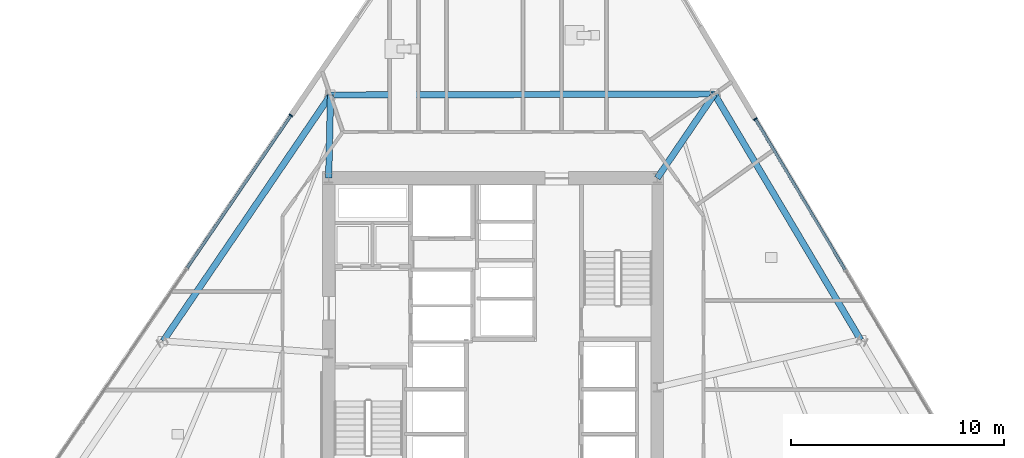
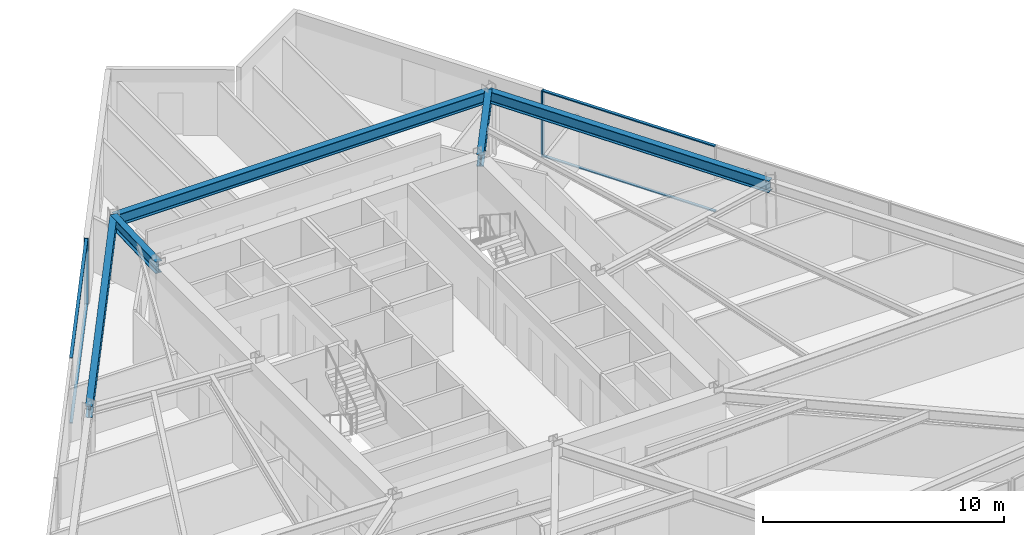
# One storey, part 7 of 16: 6 members, 5 beams, 2 elements without a shape of their own.
"""IFC4 building model written with IfcOpenShell, lengths in metres."""

from ifc_helpers import new_model, si_unit, direction, frame, origin, origin_2d, place, context, subcontext, project, spatial, rectangle, i_section, extrude, material, material_profile, profile_set, type_object, element, aggregate, save


model = new_model("IFC4")

# Units and contexts
model_context = context("Model", 3, precision=1e-05, world=origin(), true_north=direction((0.0, 1.0)))
body_context = subcontext(model_context, "Body", "Model", "MODEL_VIEW")
ifc_project = project(units=[si_unit("LENGTHUNIT", "METRE"), si_unit("AREAUNIT", "SQUARE_METRE"), si_unit("VOLUMEUNIT", "CUBIC_METRE"), si_unit("PLANEANGLEUNIT", "RADIAN"), si_unit("MASSUNIT", "GRAM", prefix="KILO")], contexts=[model_context])

# Site, building, storey
site_placement = place(None, origin())
site = spatial("IfcSite", under=ifc_project, at=site_placement, CompositionType="ELEMENT")
building_placement = place(site_placement, origin())
building = spatial("IfcBuilding", under=site, at=building_placement, Name="Savorim Split Tower", CompositionType="ELEMENT")
storey_placement = place(building_placement, frame((0.0, 0.0, 66.0)))
storey = spatial("IfcBuildingStorey", under=building, at=storey_placement, Name="L17", CompositionType="ELEMENT", Elevation=66.0)

# Beams
ifc_material_1 = material(Name="Steel S355", Category="steel")
ifc_material_profile_1 = material_profile(ifc_material_1, i_section(OverallWidth=0.300048828125, OverallDepth=0.60009765625, WebThickness=0.015380859375, FlangeThickness=0.030029296875, FilletRadius=0.027099609375, at=origin_2d()), Name="HEB 600")
ifc_profile_set_1 = profile_set([ifc_material_profile_1], Name="Steel S355")
beam_type_1 = type_object("IfcBeamType", Name="BM-PRI-HEB600", PredefinedType="BEAM", material=ifc_profile_set_1)
beam_1_placement = place(storey_placement, frame((10.37890625, 14.140625, 3.050048828125), z_axis=(-0.562209115445, -0.826995109122, 0.0), x_axis=(0.826995109122, -0.562209115445, 0.0)))
element("IfcBeam", 1, at=beam_1_placement, inside=storey, type_object=beam_type_1, Name="L17 Primary Floor Girder RG-07", PredefinedType="BEAM", context=body_context, shape_type="SweptSolid", body=[
    extrude(i_section(OverallWidth=0.300048828125, OverallDepth=0.60009765625, WebThickness=0.015380859375, FlangeThickness=0.030029296875, FilletRadius=0.027099609375, at=origin_2d()), origin(), (0.0, 0.0, 1.0), 4.76513671875),
])
beam_2_placement = place(storey_placement, frame((-7.6123046875, 14.091796875, 3.050048828125), z_axis=(-0.022514835752, -0.999746508957, 0.0), x_axis=(0.999746508957, -0.022514835752, 0.0)))
element("IfcBeam", 2, at=beam_2_placement, inside=storey, type_object=beam_type_1, Name="L17 Primary Floor Girder RG-08", PredefinedType="BEAM", context=body_context, shape_type="SweptSolid", body=[
    extrude(i_section(OverallWidth=0.300048828125, OverallDepth=0.60009765625, WebThickness=0.015380859375, FlangeThickness=0.030029296875, FilletRadius=0.027099609375, at=origin_2d()), origin(), (0.0, 0.0, 1.0), 3.892822265625),
])
ifc_material_profile_2 = material_profile(ifc_material_1, i_section(OverallWidth=0.300048828125, OverallDepth=0.590087890625, WebThickness=0.012939453125, FlangeThickness=0.02490234375, FilletRadius=0.027099609375, at=origin_2d()), Name="HEA 600")
ifc_profile_set_2 = profile_set([ifc_material_profile_2], Name="Steel S355")
beam_type_2 = type_object("IfcBeamType", Name="BM-SPN-HEA600", PredefinedType="SPANDREL", material=ifc_profile_set_2)
beam_3_placement = place(storey_placement, frame((17.232666015625, 2.6142578125, 3.054931640625), z_axis=(-0.511088843227, 0.859527890373, 0.0), x_axis=(-0.859527890373, -0.511088843227, 0.0)))
element("IfcBeam", 3, at=beam_3_placement, inside=storey, type_object=beam_type_2, Name="L17 Perimeter Spandrel Beam 6", PredefinedType="SPANDREL", context=body_context, shape_type="SweptSolid", body=[
    extrude(i_section(OverallWidth=0.300048828125, OverallDepth=0.590087890625, WebThickness=0.012939453125, FlangeThickness=0.02490234375, FilletRadius=0.027099609375, at=origin_2d()), origin(), (0.0, 0.0, 1.0), 13.41015625),
])
beam_4_placement = place(storey_placement, frame((10.37890625, 14.140625, 3.054931640625), z_axis=(-0.999996317126, -0.002713988811, 0.0), x_axis=(0.002713988811, -0.999996317126, 0.0)))
element("IfcBeam", 4, at=beam_4_placement, inside=storey, type_object=beam_type_2, Name="L17 Perimeter Spandrel Beam 7", PredefinedType="SPANDREL", context=body_context, shape_type="SweptSolid", body=[
    extrude(i_section(OverallWidth=0.300048828125, OverallDepth=0.590087890625, WebThickness=0.012939453125, FlangeThickness=0.02490234375, FilletRadius=0.027099609375, at=origin_2d()), origin(), (0.0, 0.0, 1.0), 17.9912109375),
])
beam_5_placement = place(storey_placement, frame((-7.6123046875, 14.091796875, 3.054931640625), z_axis=(-0.562475749306, -0.826813782809, 0.0), x_axis=(0.826813782809, -0.562475749306, 0.0)))
element("IfcBeam", 5, at=beam_5_placement, inside=storey, type_object=beam_type_2, Name="L17 Perimeter Spandrel Beam 8", PredefinedType="SPANDREL", context=body_context, shape_type="SweptSolid", body=[
    extrude(i_section(OverallWidth=0.300048828125, OverallDepth=0.590087890625, WebThickness=0.012939453125, FlangeThickness=0.02490234375, FilletRadius=0.027099609375, at=origin_2d()), origin(), (0.0, 0.0, 1.0), 13.940673828125),
])

# Curtain wall, member
ifc_material_2 = material(Name="Dark Ceramic-Fritted Insulated Glass", Category="glass")
curtain_wall_type = type_object("IfcCurtainWallType", Name="CW-TWR-FRIT-A", PredefinedType="NOTDEFINED", material=ifc_material_2)
curtain_wall_1_placement = place(storey_placement, origin())
curtain_wall_1 = element("IfcCurtainWall", 6, at=curtain_wall_1_placement, inside=storey, type_object=curtain_wall_type, Name="L17 Curtain Wall CW-L17-EAST", PredefinedType="NOTDEFINED")
ifc_material_3 = material(Name="Charcoal Anodised Aluminium", Category="aluminium")
ifc_material_profile_3 = material_profile(ifc_material_3, rectangle(XDim=0.179931640625, YDim=0.06494140625, at=origin_2d()), Name="ALU-M 180x65")
ifc_profile_set_3 = profile_set([ifc_material_profile_3], Name="Charcoal Anodised Aluminium")
member_type_1 = type_object("IfcMemberType", Name="CWM-180x65", PredefinedType="MULLION", material=ifc_profile_set_3)
member_1_placement = place(storey_placement, frame((12.296630859375, 12.96826171875, 0.0), z_axis=(0.0, 0.0, 1.0), x_axis=(-0.859525822673, -0.511092320583, 0.0)))
member_1 = element("IfcMember", 7, at=member_1_placement, type_object=member_type_1, Name="CW-02 mullion 5", PredefinedType="MULLION", context=body_context, shape_type="SweptSolid", body=[
    extrude(rectangle(XDim=0.179931640625, YDim=0.06494140625, at=origin_2d()), origin(), (0.0, 0.0, 1.0), 3.35009765625),
])

curtain_wall_2_placement = place(storey_placement, origin())
curtain_wall_2 = element("IfcCurtainWall", 8, at=curtain_wall_2_placement, inside=storey, type_object=curtain_wall_type, Name="L17 Curtain Wall CW-L17-WEST", PredefinedType="NOTDEFINED")
member_2_placement = place(storey_placement, frame((-9.468994140625, 13.136474609375, 0.0), z_axis=(0.0, 0.0, 1.0), x_axis=(0.826820172644, -0.562466356423, 0.0)))
member_2 = element("IfcMember", 9, at=member_2_placement, type_object=member_type_1, Name="CW-02 mullion 1", PredefinedType="MULLION", context=body_context, shape_type="SweptSolid", body=[
    extrude(rectangle(XDim=0.179931640625, YDim=0.06494140625, at=origin_2d()), origin(), (0.0, 0.0, 1.0), 3.35009765625),
])

# Member
ifc_material_profile_4 = material_profile(ifc_material_3, rectangle(XDim=0.139892578125, YDim=0.054931640625, at=origin_2d()), Name="ALU-T 140x55")
ifc_profile_set_4 = profile_set([ifc_material_profile_4], Name="Charcoal Anodised Aluminium")
member_type_2 = type_object("IfcMemberType", Name="CWT-140x55", PredefinedType="USERDEFINED", material=ifc_profile_set_4)
member_3_placement = place(storey_placement, frame((16.49853515625, 5.901611328125, 0.027587890625), z_axis=(-0.51109384724, 0.859524914888, 0.0), x_axis=(-0.859524914888, -0.51109384724, 0.0)))
member_3 = element("IfcMember", 10, at=member_3_placement, type_object=member_type_2, Name="CW-02 transom 4.1", ObjectType="TRANSOM", PredefinedType="USERDEFINED", context=body_context, shape_type="SweptSolid", body=[
    extrude(rectangle(XDim=0.139892578125, YDim=0.054931640625, at=origin_2d()), origin(), (0.0, 0.0, 1.0), 8.18896484375),
])

member_4_placement = place(storey_placement, frame((16.49853515625, 5.901611328125, 3.322509765625), z_axis=(-0.51109384724, 0.859524914888, 0.0), x_axis=(-0.859524914888, -0.51109384724, 0.0)))
member_4 = element("IfcMember", 11, at=member_4_placement, type_object=member_type_2, Name="CW-02 transom 4.2", ObjectType="TRANSOM", PredefinedType="USERDEFINED", context=body_context, shape_type="SweptSolid", body=[
    extrude(rectangle(XDim=0.139892578125, YDim=0.054931640625, at=origin_2d()), origin(), (0.0, 0.0, 1.0), 8.18896484375),
])

aggregate(curtain_wall_1, [member_1, member_3, member_4])

member_5_placement = place(storey_placement, frame((-9.487060546875, 13.109619140625, 0.027587890625), z_axis=(-0.562479161914, -0.826811461224, 0.0), x_axis=(0.826811461224, -0.562479161914, 0.0)))
member_5 = element("IfcMember", 12, at=member_5_placement, type_object=member_type_2, Name="CW-02 transom 1.1", ObjectType="TRANSOM", PredefinedType="USERDEFINED", context=body_context, shape_type="SweptSolid", body=[
    extrude(rectangle(XDim=0.139892578125, YDim=0.054931640625, at=origin_2d()), origin(), (0.0, 0.0, 1.0), 8.606201171875),
])

member_6_placement = place(storey_placement, frame((-9.487060546875, 13.109619140625, 3.322509765625), z_axis=(-0.562479161914, -0.826811461224, 0.0), x_axis=(0.826811461224, -0.562479161914, 0.0)))
member_6 = element("IfcMember", 13, at=member_6_placement, type_object=member_type_2, Name="CW-02 transom 1.2", ObjectType="TRANSOM", PredefinedType="USERDEFINED", context=body_context, shape_type="SweptSolid", body=[
    extrude(rectangle(XDim=0.139892578125, YDim=0.054931640625, at=origin_2d()), origin(), (0.0, 0.0, 1.0), 8.606201171875),
])

aggregate(curtain_wall_2, [member_2, member_5, member_6])

save(model, "model.ifc")
